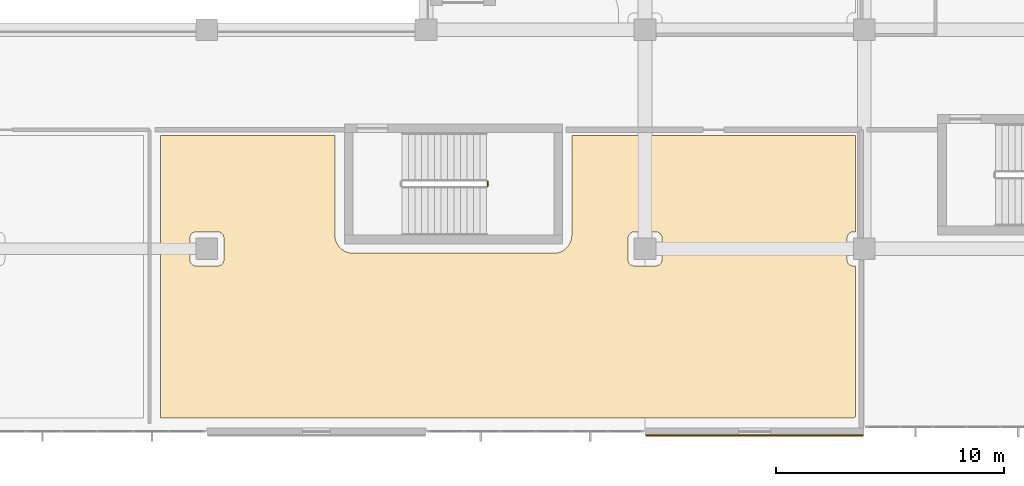
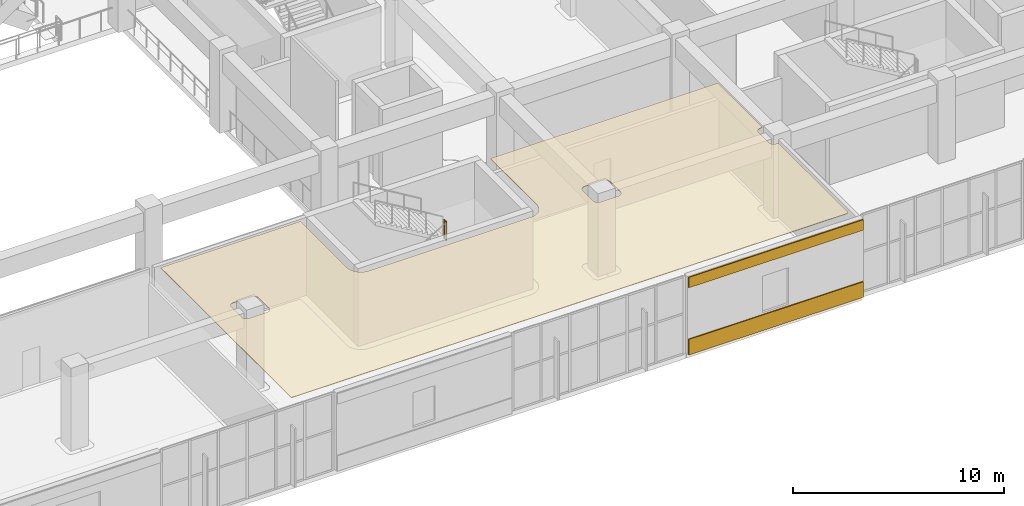
# One storey, part 66 of 86: 3 coverings, 1 railing.
"""IFC4 building model written with IfcOpenShell, lengths in metres."""

from ifc_helpers import new_model, si_unit, direction, frame, origin, origin_2d, place, context, subcontext, project, spatial, polyline, rectangle, circle, outline, extrude, material, layer, layer_set, type_object, element, save


model = new_model("IFC4")

# Units and contexts
model_context = context("Model", 3, precision=1e-05, world=origin(), true_north=direction((0.0, 1.0)))
body_context = subcontext(model_context, "Body", "Model", "MODEL_VIEW")
ifc_project = project(units=[si_unit("LENGTHUNIT", "METRE"), si_unit("AREAUNIT", "SQUARE_METRE"), si_unit("VOLUMEUNIT", "CUBIC_METRE"), si_unit("PLANEANGLEUNIT", "RADIAN"), si_unit("MASSUNIT", "GRAM", prefix="KILO")], contexts=[model_context])

# Site, building, storey
site_placement = place(None, origin())
site = spatial("IfcSite", under=ifc_project, at=site_placement, CompositionType="ELEMENT")
building_placement = place(site_placement, origin())
building = spatial("IfcBuilding", under=site, at=building_placement, Name="Cendralis Terraced Arcade", CompositionType="ELEMENT")
storey_placement = place(building_placement, frame((0.0, 0.0, 5.39990234375)))
storey = spatial("IfcBuildingStorey", under=building, at=storey_placement, Name="L01", CompositionType="ELEMENT", Elevation=5.39990234375)

# Coverings
ifc_material_1 = material(Name="Warm Andean oak timber", Category="wood")
ifc_layer_1 = layer(ifc_material_1, 0.034912109375, Name="COV-CEIL-OAK-35")
ifc_layer_set_1 = layer_set([ifc_layer_1], Name="Warm Andean oak timber")
covering_type_1 = type_object("IfcCoveringType", Name="COV-CEIL-OAK-35", PredefinedType="CEILING", material=ifc_layer_set_1)
covering_1_placement = place(storey_placement, frame((0.0, 0.0, 4.47021484375)))
element("IfcCovering", 1, at=covering_1_placement, inside=storey, type_object=covering_type_1, Name="Acoustic Soffit Ceiling L01-051", PredefinedType="CEILING", context=body_context, shape_type="SweptSolid", body=[
    extrude(outline(polyline([(44.010009765625, 10.199951171875), (44.010009765625, 10.19384765625), (44.01025390625, 10.18798828125), (44.010498046875, 10.181884765625), (44.012451171875, 10.140625), (44.013427734375, 10.12841796875), (44.014404296875, 10.11669921875), (44.01611328125, 10.1044921875), (44.022216796875, 10.063720703125), (44.024169921875, 10.0517578125), (44.026611328125, 10.0400390625), (44.029296875, 10.0283203125), (44.039306640625, 9.98828125), (44.04248046875, 9.976318359375), (44.0458984375, 9.965087890625), (44.0498046875, 9.953369140625), (44.063720703125, 9.91455078125), (44.068115234375, 9.9033203125), (44.072509765625, 9.892333984375), (44.077392578125, 9.881103515625), (44.09521484375, 9.84375), (44.1005859375, 9.8330078125), (44.106201171875, 9.822509765625), (44.1123046875, 9.811767578125), (44.13330078125, 9.7763671875), (44.139892578125, 9.76611328125), (44.146484375, 9.75634765625), (44.153564453125, 9.746337890625), (44.177978515625, 9.713134765625), (44.185791015625, 9.70361328125), (44.193115234375, 9.6943359375), (44.201171875, 9.68505859375), (44.22900390625, 9.654541015625), (44.2373046875, 9.645751953125), (44.24560546875, 9.63720703125), (44.25439453125, 9.62890625), (44.28515625, 9.601318359375), (44.29443359375, 9.59326171875), (44.303466796875, 9.585693359375), (44.31298828125, 9.578125), (44.34619140625, 9.5537109375), (44.356201171875, 9.54638671875), (44.3662109375, 9.5400390625), (44.37646484375, 9.533447265625), (44.411865234375, 9.51220703125), (44.422607421875, 9.506103515625), (44.432861328125, 9.50048828125), (44.44384765625, 9.4951171875), (44.481201171875, 9.4775390625), (44.4921875, 9.472412109375), (44.503173828125, 9.468017578125), (44.5146484375, 9.463623046875), (44.553466796875, 9.44970703125), (44.565185546875, 9.44580078125), (44.576416015625, 9.4423828125), (44.588134765625, 9.439208984375), (44.628173828125, 9.42919921875), (44.64013671875, 9.426513671875), (44.651611328125, 9.42431640625), (44.663818359375, 9.422119140625), (44.70458984375, 9.416015625), (44.716796875, 9.41455078125), (44.728515625, 9.413330078125), (44.74072265625, 9.41259765625), (44.78173828125, 9.410400390625), (44.7880859375, 9.41015625), (44.7939453125, 9.41015625), (44.800048828125, 9.409912109375), (53.60009765625, 9.409912109375), (53.606201171875, 9.41015625), (53.612060546875, 9.41015625), (53.6181640625, 9.410400390625), (53.6591796875, 9.41259765625), (53.671630859375, 9.413330078125), (53.683349609375, 9.41455078125), (53.695556640625, 9.416015625), (53.736083984375, 9.422119140625), (53.748291015625, 9.42431640625), (53.760009765625, 9.426513671875), (53.771728515625, 9.42919921875), (53.811767578125, 9.439208984375), (53.823486328125, 9.4423828125), (53.8349609375, 9.44580078125), (53.8466796875, 9.44970703125), (53.885498046875, 9.463623046875), (53.896728515625, 9.468017578125), (53.90771484375, 9.472412109375), (53.9189453125, 9.4775390625), (53.956298828125, 9.4951171875), (53.967041015625, 9.50048828125), (53.9775390625, 9.506103515625), (53.98828125, 9.51220703125), (54.023681640625, 9.533447265625), (54.033935546875, 9.5400390625), (54.043701171875, 9.54638671875), (54.0537109375, 9.5537109375), (54.0869140625, 9.578125), (54.096435546875, 9.585693359375), (54.105712890625, 9.59326171875), (54.114990234375, 9.601318359375), (54.1455078125, 9.62890625), (54.154296875, 9.63720703125), (54.16259765625, 9.645751953125), (54.171142578125, 9.654541015625), (54.19873046875, 9.68505859375), (54.206787109375, 9.6943359375), (54.21435546875, 9.70361328125), (54.221923828125, 9.713134765625), (54.246337890625, 9.746337890625), (54.25341796875, 9.75634765625), (54.260009765625, 9.76611328125), (54.2666015625, 9.7763671875), (54.287841796875, 9.811767578125), (54.293701171875, 9.822509765625), (54.29931640625, 9.8330078125), (54.304931640625, 9.84375), (54.322509765625, 9.881103515625), (54.327392578125, 9.892333984375), (54.33203125, 9.9033203125), (54.33642578125, 9.91455078125), (54.350341796875, 9.953369140625), (54.35400390625, 9.965087890625), (54.357666015625, 9.976318359375), (54.36083984375, 9.98828125), (54.370849609375, 10.0283203125), (54.37353515625, 10.0400390625), (54.375732421875, 10.0517578125), (54.3779296875, 10.063720703125), (54.384033203125, 10.1044921875), (54.385498046875, 10.11669921875), (54.38671875, 10.12841796875), (54.387451171875, 10.140625), (54.3896484375, 10.181884765625), (54.389892578125, 10.18798828125), (54.389892578125, 10.19384765625), (54.389892578125, 10.199951171875), (54.389892578125, 14.570068359375), (66.830078125, 14.570068359375), (66.830078125, 10.344970703125), (66.72509765625, 10.344970703125), (66.712646484375, 10.3447265625), (66.710693359375, 10.344482421875), (66.686279296875, 10.34228515625), (66.684326171875, 10.341796875), (66.660400390625, 10.337158203125), (66.658447265625, 10.336669921875), (66.635009765625, 10.32958984375), (66.633056640625, 10.328857421875), (66.610595703125, 10.319580078125), (66.608642578125, 10.318603515625), (66.5869140625, 10.30712890625), (66.58544921875, 10.30615234375), (66.56494140625, 10.29248046875), (66.5634765625, 10.291259765625), (66.54443359375, 10.275634765625), (66.54296875, 10.2744140625), (66.525634765625, 10.257080078125), (66.5244140625, 10.255615234375), (66.5087890625, 10.236572265625), (66.507568359375, 10.235107421875), (66.493896484375, 10.214599609375), (66.492919921875, 10.212890625), (66.4814453125, 10.19140625), (66.48046875, 10.189453125), (66.47119140625, 10.1669921875), (66.470458984375, 10.1650390625), (66.46337890625, 10.1416015625), (66.462890625, 10.1396484375), (66.4580078125, 10.115478515625), (66.457763671875, 10.113525390625), (66.455322265625, 10.089111328125), (66.455322265625, 10.08740234375), (66.455078125, 10.074951171875), (66.455078125, 9.125), (66.455322265625, 9.11279296875), (66.455322265625, 9.11083984375), (66.457763671875, 9.08642578125), (66.4580078125, 9.08447265625), (66.462890625, 9.060302734375), (66.46337890625, 9.058349609375), (66.470458984375, 9.034912109375), (66.47119140625, 9.033203125), (66.48046875, 9.010498046875), (66.4814453125, 9.0087890625), (66.492919921875, 8.987060546875), (66.493896484375, 8.9853515625), (66.507568359375, 8.965087890625), (66.5087890625, 8.96337890625), (66.5244140625, 8.9443359375), (66.525634765625, 8.943115234375), (66.54296875, 8.925537109375), (66.54443359375, 8.92431640625), (66.5634765625, 8.90869140625), (66.56494140625, 8.90771484375), (66.58544921875, 8.893798828125), (66.5869140625, 8.892822265625), (66.608642578125, 8.88134765625), (66.610595703125, 8.880615234375), (66.633056640625, 8.87109375), (66.635009765625, 8.87060546875), (66.658447265625, 8.86328125), (66.660400390625, 8.86279296875), (66.684326171875, 8.858154296875), (66.686279296875, 8.85791015625), (66.710693359375, 8.85546875), (66.712646484375, 8.855224609375), (66.72509765625, 8.85498046875), (66.830078125, 8.85498046875), (66.830078125, 2.259521484375), (66.8212890625, 2.252197265625), (66.81201171875, 2.244140625), (66.7958984375, 2.229736328125), (66.787109375, 2.22119140625), (66.77880859375, 2.212890625), (66.770263671875, 2.2041015625), (66.757568359375, 2.18994140625), (36.3701171875, 2.18994140625), (36.3701171875, 14.570068359375), (44.010009765625, 14.570068359375), (44.010009765625, 10.199951171875)]), holes=[polyline([(56.9853515625, 8.893798828125), (56.987060546875, 8.892822265625), (57.0087890625, 8.88134765625), (57.010498046875, 8.880615234375), (57.033203125, 8.87109375), (57.034912109375, 8.87060546875), (57.058349609375, 8.86328125), (57.060302734375, 8.86279296875), (57.08447265625, 8.858154296875), (57.08642578125, 8.85791015625), (57.11083984375, 8.85546875), (57.11279296875, 8.855224609375), (57.125, 8.85498046875), (58.074951171875, 8.85498046875), (58.08740234375, 8.855224609375), (58.089111328125, 8.85546875), (58.113525390625, 8.85791015625), (58.115478515625, 8.858154296875), (58.1396484375, 8.86279296875), (58.1416015625, 8.86328125), (58.1650390625, 8.87060546875), (58.1669921875, 8.87109375), (58.189453125, 8.880615234375), (58.19140625, 8.88134765625), (58.212890625, 8.892822265625), (58.214599609375, 8.893798828125), (58.235107421875, 8.90771484375), (58.236572265625, 8.90869140625), (58.255615234375, 8.92431640625), (58.257080078125, 8.925537109375), (58.2744140625, 8.943115234375), (58.275634765625, 8.9443359375), (58.291259765625, 8.96337890625), (58.29248046875, 8.965087890625), (58.30615234375, 8.9853515625), (58.30712890625, 8.987060546875), (58.318603515625, 9.0087890625), (58.319580078125, 9.010498046875), (58.328857421875, 9.033203125), (58.32958984375, 9.034912109375), (58.336669921875, 9.058349609375), (58.337158203125, 9.060302734375), (58.341796875, 9.08447265625), (58.34228515625, 9.08642578125), (58.344482421875, 9.11083984375), (58.3447265625, 9.11279296875), (58.344970703125, 9.125), (58.344970703125, 10.074951171875), (58.3447265625, 10.08740234375), (58.344482421875, 10.089111328125), (58.34228515625, 10.113525390625), (58.341796875, 10.115478515625), (58.337158203125, 10.1396484375), (58.336669921875, 10.1416015625), (58.32958984375, 10.1650390625), (58.328857421875, 10.1669921875), (58.319580078125, 10.189453125), (58.318603515625, 10.19140625), (58.30712890625, 10.212890625), (58.30615234375, 10.214599609375), (58.29248046875, 10.235107421875), (58.291259765625, 10.236572265625), (58.275634765625, 10.255615234375), (58.2744140625, 10.257080078125), (58.257080078125, 10.2744140625), (58.255615234375, 10.275634765625), (58.236572265625, 10.291259765625), (58.235107421875, 10.29248046875), (58.214599609375, 10.30615234375), (58.212890625, 10.30712890625), (58.19140625, 10.318603515625), (58.189453125, 10.319580078125), (58.1669921875, 10.328857421875), (58.1650390625, 10.32958984375), (58.1416015625, 10.336669921875), (58.1396484375, 10.337158203125), (58.115478515625, 10.341796875), (58.113525390625, 10.34228515625), (58.089111328125, 10.344482421875), (58.08740234375, 10.3447265625), (58.074951171875, 10.344970703125), (57.125, 10.344970703125), (57.11279296875, 10.3447265625), (57.11083984375, 10.344482421875), (57.08642578125, 10.34228515625), (57.08447265625, 10.341796875), (57.060302734375, 10.337158203125), (57.058349609375, 10.336669921875), (57.034912109375, 10.32958984375), (57.033203125, 10.328857421875), (57.010498046875, 10.319580078125), (57.0087890625, 10.318603515625), (56.987060546875, 10.30712890625), (56.9853515625, 10.30615234375), (56.965087890625, 10.29248046875), (56.96337890625, 10.291259765625), (56.9443359375, 10.275634765625), (56.943115234375, 10.2744140625), (56.925537109375, 10.257080078125), (56.92431640625, 10.255615234375), (56.90869140625, 10.236572265625), (56.90771484375, 10.235107421875), (56.893798828125, 10.214599609375), (56.892822265625, 10.212890625), (56.88134765625, 10.19140625), (56.880615234375, 10.189453125), (56.87109375, 10.1669921875), (56.87060546875, 10.1650390625), (56.86328125, 10.1416015625), (56.86279296875, 10.1396484375), (56.858154296875, 10.115478515625), (56.85791015625, 10.113525390625), (56.85546875, 10.089111328125), (56.855224609375, 10.08740234375), (56.85498046875, 10.074951171875), (56.85498046875, 9.125), (56.855224609375, 9.11279296875), (56.85546875, 9.11083984375), (56.85791015625, 9.08642578125), (56.858154296875, 9.08447265625), (56.86279296875, 9.060302734375), (56.86328125, 9.058349609375), (56.87060546875, 9.034912109375), (56.87109375, 9.033203125), (56.880615234375, 9.010498046875), (56.88134765625, 9.0087890625), (56.892822265625, 8.987060546875), (56.893798828125, 8.9853515625), (56.90771484375, 8.965087890625), (56.90869140625, 8.96337890625), (56.92431640625, 8.9443359375), (56.925537109375, 8.943115234375), (56.943115234375, 8.925537109375), (56.9443359375, 8.92431640625), (56.96337890625, 8.90869140625), (56.965087890625, 8.90771484375), (56.9853515625, 8.893798828125)]), polyline([(37.80859375, 8.88134765625), (37.810546875, 8.880615234375), (37.8330078125, 8.87109375), (37.8349609375, 8.87060546875), (37.8583984375, 8.86328125), (37.8603515625, 8.86279296875), (37.884521484375, 8.858154296875), (37.886474609375, 8.85791015625), (37.910888671875, 8.85546875), (37.91259765625, 8.855224609375), (37.925048828125, 8.85498046875), (38.875, 8.85498046875), (38.88720703125, 8.855224609375), (38.88916015625, 8.85546875), (38.91357421875, 8.85791015625), (38.91552734375, 8.858154296875), (38.939697265625, 8.86279296875), (38.941650390625, 8.86328125), (38.965087890625, 8.87060546875), (38.966796875, 8.87109375), (38.989501953125, 8.880615234375), (38.9912109375, 8.88134765625), (39.012939453125, 8.892822265625), (39.0146484375, 8.893798828125), (39.034912109375, 8.90771484375), (39.03662109375, 8.90869140625), (39.0556640625, 8.92431640625), (39.056884765625, 8.925537109375), (39.074462890625, 8.943115234375), (39.07568359375, 8.9443359375), (39.09130859375, 8.96337890625), (39.09228515625, 8.965087890625), (39.106201171875, 8.9853515625), (39.107177734375, 8.987060546875), (39.11865234375, 9.0087890625), (39.119384765625, 9.010498046875), (39.12890625, 9.033203125), (39.12939453125, 9.034912109375), (39.13671875, 9.058349609375), (39.13720703125, 9.060302734375), (39.141845703125, 9.08447265625), (39.14208984375, 9.08642578125), (39.14453125, 9.11083984375), (39.144775390625, 9.11279296875), (39.14501953125, 9.125), (39.14501953125, 10.074951171875), (39.144775390625, 10.08740234375), (39.14453125, 10.089111328125), (39.14208984375, 10.113525390625), (39.141845703125, 10.115478515625), (39.13720703125, 10.1396484375), (39.13671875, 10.1416015625), (39.12939453125, 10.1650390625), (39.12890625, 10.1669921875), (39.119384765625, 10.189453125), (39.11865234375, 10.19140625), (39.107177734375, 10.212890625), (39.106201171875, 10.214599609375), (39.09228515625, 10.235107421875), (39.09130859375, 10.236572265625), (39.07568359375, 10.255615234375), (39.074462890625, 10.257080078125), (39.056884765625, 10.2744140625), (39.0556640625, 10.275634765625), (39.03662109375, 10.291259765625), (39.034912109375, 10.29248046875), (39.0146484375, 10.30615234375), (39.012939453125, 10.30712890625), (38.9912109375, 10.318603515625), (38.989501953125, 10.319580078125), (38.966796875, 10.328857421875), (38.965087890625, 10.32958984375), (38.941650390625, 10.336669921875), (38.939697265625, 10.337158203125), (38.91552734375, 10.341796875), (38.91357421875, 10.34228515625), (38.88916015625, 10.344482421875), (38.88720703125, 10.3447265625), (38.875, 10.344970703125), (37.925048828125, 10.344970703125), (37.91259765625, 10.3447265625), (37.910888671875, 10.344482421875), (37.886474609375, 10.34228515625), (37.884521484375, 10.341796875), (37.8603515625, 10.337158203125), (37.8583984375, 10.336669921875), (37.8349609375, 10.32958984375), (37.8330078125, 10.328857421875), (37.810546875, 10.319580078125), (37.80859375, 10.318603515625), (37.787109375, 10.30712890625), (37.785400390625, 10.30615234375), (37.764892578125, 10.29248046875), (37.763427734375, 10.291259765625), (37.744384765625, 10.275634765625), (37.742919921875, 10.2744140625), (37.7255859375, 10.257080078125), (37.724365234375, 10.255615234375), (37.708740234375, 10.236572265625), (37.70751953125, 10.235107421875), (37.69384765625, 10.214599609375), (37.69287109375, 10.212890625), (37.681396484375, 10.19140625), (37.680419921875, 10.189453125), (37.671142578125, 10.1669921875), (37.67041015625, 10.1650390625), (37.663330078125, 10.1416015625), (37.662841796875, 10.1396484375), (37.658203125, 10.115478515625), (37.65771484375, 10.113525390625), (37.655517578125, 10.089111328125), (37.6552734375, 10.08740234375), (37.655029296875, 10.074951171875), (37.655029296875, 9.125), (37.6552734375, 9.11279296875), (37.655517578125, 9.11083984375), (37.65771484375, 9.08642578125), (37.658203125, 9.08447265625), (37.662841796875, 9.060302734375), (37.663330078125, 9.058349609375), (37.67041015625, 9.034912109375), (37.671142578125, 9.033203125), (37.680419921875, 9.010498046875), (37.681396484375, 9.0087890625), (37.69287109375, 8.987060546875), (37.69384765625, 8.9853515625), (37.70751953125, 8.965087890625), (37.708740234375, 8.96337890625), (37.724365234375, 8.9443359375), (37.7255859375, 8.943115234375), (37.742919921875, 8.925537109375), (37.744384765625, 8.92431640625), (37.763427734375, 8.90869140625), (37.764892578125, 8.90771484375), (37.785400390625, 8.893798828125), (37.787109375, 8.892822265625), (37.80859375, 8.88134765625)])]), origin(), (0.0, 0.0, 1.0), 0.034912109375),
])
ifc_material_2 = material(Name="Precast concrete f'c 40 MPa", Category="concrete")
ifc_layer_2 = layer(ifc_material_2, 0.06494140625, Name="COV-CLAD-GRC-65")
ifc_layer_set_2 = layer_set([ifc_layer_2], Name="Precast concrete f'c 40 MPa")
covering_type_2 = type_object("IfcCoveringType", Name="COV-CLAD-GRC-65", PredefinedType="CLADDING", material=ifc_layer_set_2)
covering_2_placement = place(storey_placement, frame((62.39990234375, 1.419921875, 0.000244140625), z_axis=(0.0, 0.0, 1.0), x_axis=(-1.0, 0.0, 0.0)))
element("IfcCovering", 2, at=covering_2_placement, inside=storey, type_object=covering_type_2, Name="Banded Precast Stone Spandrel Cladding L01-177", PredefinedType="CLADDING", context=body_context, shape_type="SweptSolid", body=[
    extrude(rectangle(XDim=9.5400390625, YDim=0.06494140625, at=origin_2d()), origin(), (0.0, 0.0, 1.0), 0.89990234375),
])
covering_3_placement = place(storey_placement, frame((62.39990234375, 1.419921875, 3.885009765625), z_axis=(0.0, 0.0, 1.0), x_axis=(-1.0, 0.0, 0.0)))
element("IfcCovering", 3, at=covering_3_placement, inside=storey, type_object=covering_type_2, Name="Banded Precast Stone Lintel Cladding L01-178", PredefinedType="CLADDING", context=body_context, shape_type="SweptSolid", body=[
    extrude(rectangle(XDim=9.5400390625, YDim=0.06494140625, at=origin_2d()), origin(), (0.0, 0.0, 1.0), 0.60009765625),
])

# Railing
ifc_material_3 = material(Name="Brushed stainless steel AISI 316", Category="steel")
railing_type = type_object("IfcRailingType", Name="RL-STAIR-GUARD-1100", PredefinedType="GUARDRAIL", material=ifc_material_3)
railing_placement = place(storey_placement, frame((50.705078125, 12.35009765625, 2.400146484375)))
element("IfcRailing", 4, at=railing_placement, inside=storey, type_object=railing_type, Name="L01 ST-03 stair guard 2", PredefinedType="GUARDRAIL", context=body_context, shape_type="SweptSolid", body=[
    extrude(circle(Radius=0.02392578125, at=origin_2d()), frame((0.0, 0.0, 1.076171875), z_axis=(0.0, 1.0, 0.0), x_axis=(-1.0, 0.0, 0.0)), (0.0, 0.0, 1.0), 0.199951171875),
    extrude(circle(Radius=0.02099609375, at=origin_2d()), origin(), (0.0, 0.0, 1.0), 1.052001953125),
    extrude(circle(Radius=0.02099609375, at=origin_2d()), frame((0.0, 0.199951171875, 0.0)), (0.0, 0.0, 1.0), 1.052001953125),
])

save(model, "model.ifc")
